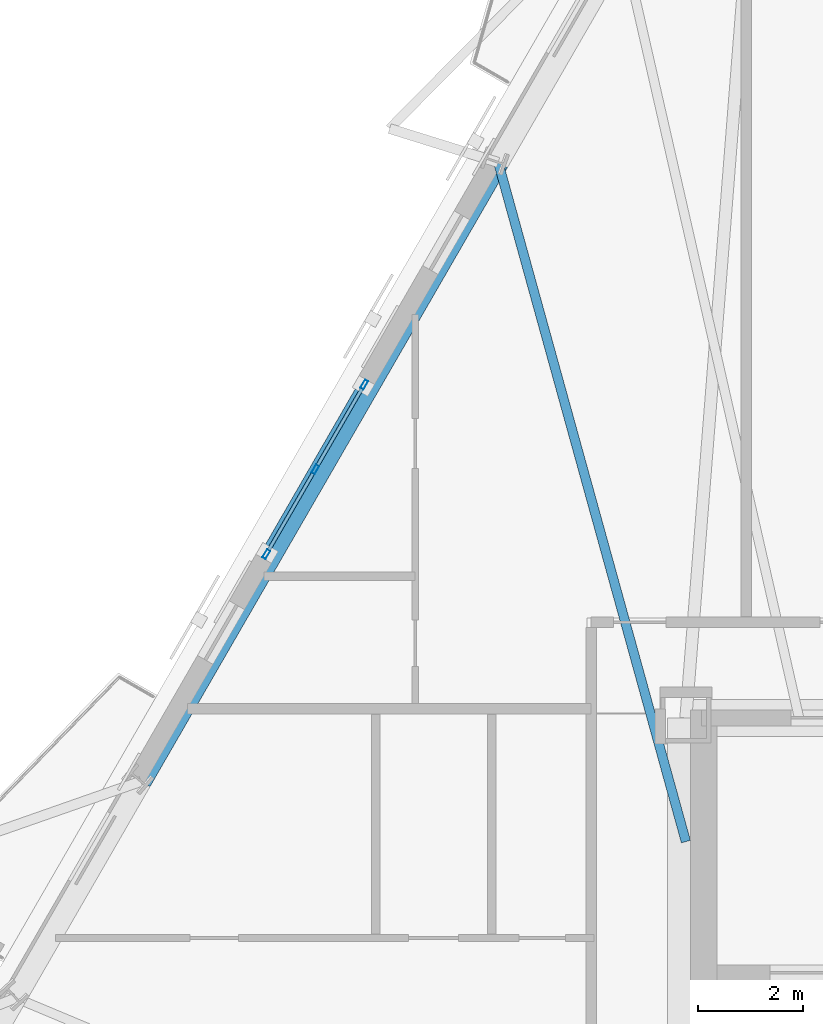
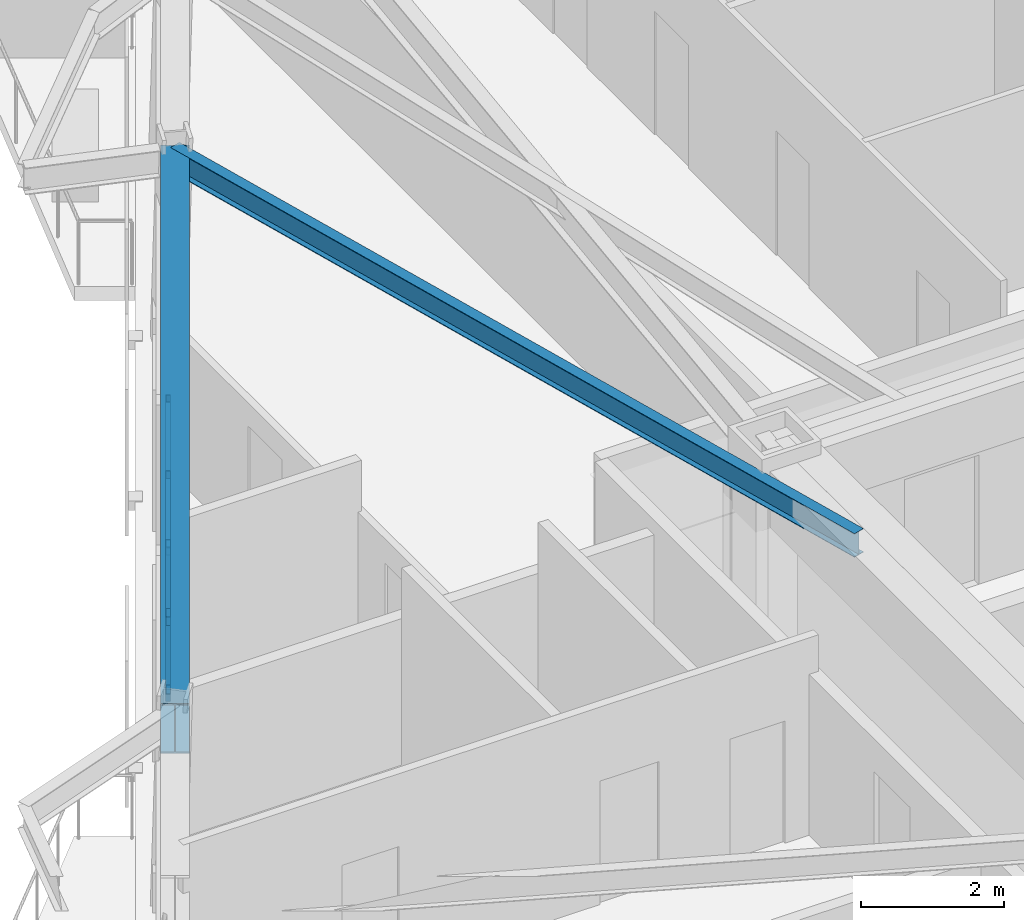
# One storey, part 5 of 17: 9 members, 2 beams, 1 element without a shape of its own.
"""IFC4 building model written with IfcOpenShell, lengths in metres."""

from ifc_helpers import new_model, si_unit, direction, frame, origin, origin_2d, place, context, subcontext, project, spatial, hollow_rectangle, i_section, extrude, material, layer, layer_set, material_profile, profile_set, type_object, element, aggregate, save


model = new_model("IFC4")

# Units and contexts
model_context = context("Model", 3, precision=1e-05, world=origin(), true_north=direction((0.0, 1.0)))
body_context = subcontext(model_context, "Body", "Model", "MODEL_VIEW")
ifc_project = project(units=[si_unit("LENGTHUNIT", "METRE"), si_unit("AREAUNIT", "SQUARE_METRE"), si_unit("VOLUMEUNIT", "CUBIC_METRE"), si_unit("PLANEANGLEUNIT", "RADIAN"), si_unit("MASSUNIT", "GRAM", prefix="KILO")], contexts=[model_context])

# Site, building, storey
site_placement = place(None, origin())
site = spatial("IfcSite", under=ifc_project, at=site_placement, CompositionType="ELEMENT")
building_placement = place(site_placement, origin())
building = spatial("IfcBuilding", under=site, at=building_placement, Name="Oramaril Tower", CompositionType="ELEMENT")
storey_placement = place(building_placement, frame((0.0, 0.0, 70.5)))
storey = spatial("IfcBuildingStorey", under=building, at=storey_placement, Name="L18", CompositionType="ELEMENT", Elevation=70.5)

# Beams
ifc_material_1 = material(Name="Steel ASTM A572 Gr 50", Category="steel")
ifc_material_profile_1 = material_profile(ifc_material_1, i_section(OverallWidth=0.177978515625, OverallDepth=0.404052734375, WebThickness=0.007568359375, FlangeThickness=0.010986328125, at=origin_2d()), Name="W16X36")
ifc_profile_set_1 = profile_set([ifc_material_profile_1], Name="Steel ASTM A572 Gr 50")
beam_type_1 = type_object("IfcBeamType", Name="BT-SB1", PredefinedType="BEAM", material=ifc_profile_set_1)
beam_1_placement = place(storey_placement, frame((29.35009765625, 21.800048828125, 3.157958984375), z_axis=(-0.266334041526, 0.963880790515, 0.0), x_axis=(-0.963880790515, -0.266334041526, 0.0)))
element("IfcBeam", 1, at=beam_1_placement, inside=storey, type_object=beam_type_1, Name="L18 Secondary Floor Beam SB-09", PredefinedType="BEAM", context=body_context, shape_type="SweptSolid", body=[
    extrude(i_section(OverallWidth=0.177978515625, OverallDepth=0.404052734375, WebThickness=0.007568359375, FlangeThickness=0.010986328125, at=origin_2d()), origin(), (0.0, 0.0, 1.0), 13.38427734375),
])
ifc_material_2 = material(Name="Steel ASTM A572 Gr 50", Category="steel")
ifc_material_profile_2 = material_profile(ifc_material_2, i_section(OverallWidth=0.40087890625, OverallDepth=0.85595703125, WebThickness=0.018310546875, FlangeThickness=0.029296875, at=origin_2d()), Name="W33X201")
ifc_profile_set_2 = profile_set([ifc_material_profile_2], Name="Steel ASTM A572 Gr 50")
beam_type_2 = type_object("IfcBeamType", Name="BT-SP1", PredefinedType="SPANDREL", material=ifc_profile_set_2)
beam_2_placement = place(storey_placement, frame((25.785400390625, 34.700927734375, 2.931884765625), z_axis=(-0.500003711142, -0.866023261145, 0.0), x_axis=(0.866023261145, -0.500003711142, 0.0)))
element("IfcBeam", 2, at=beam_2_placement, inside=storey, type_object=beam_type_2, Name="L18 Perimeter Spandrel 16", PredefinedType="SPANDREL", context=body_context, shape_type="SweptSolid", body=[
    extrude(i_section(OverallWidth=0.40087890625, OverallDepth=0.85595703125, WebThickness=0.018310546875, FlangeThickness=0.029296875, at=origin_2d()), origin(), (0.0, 0.0, 1.0), 13.5751953125),
])

# Curtain wall, members
ifc_material_3 = material(Name="Anodised Aluminium 6063-T6", Category="aluminium")
ifc_layer = layer(ifc_material_3, 0.179931640625)
ifc_layer_set = layer_set([ifc_layer], Name="CWT-SYS3")
curtain_wall_type = type_object("IfcCurtainWallType", Name="CWT-SYS3", PredefinedType="NOTDEFINED", material=ifc_layer_set)
curtain_wall_placement = place(storey_placement, origin())
curtain_wall = element("IfcCurtainWall", 3, at=curtain_wall_placement, inside=storey, type_object=curtain_wall_type, Name="L18 Unitised Curtain Wall CW-3", PredefinedType="NOTDEFINED")
ifc_material_4 = material(Name="Anodised Aluminium 6063-T6", Category="aluminium")
ifc_material_profile_3 = material_profile(ifc_material_4, hollow_rectangle(XDim=0.070068359375, YDim=0.179931640625, WallThickness=0.00390625, at=origin_2d()), Name="CWM180X70")
ifc_profile_set_3 = profile_set([ifc_material_profile_3], Name="Anodised Aluminium 6063-T6")
member_type_1 = type_object("IfcMemberType", Name="MT-CWM2", PredefinedType="MULLION", material=ifc_profile_set_3)
member_1_placement = place(storey_placement, frame((23.240478515625, 30.48046875, 0.0), z_axis=(0.0, 0.0, 1.0), x_axis=(0.866025463091, -0.499999897278, 0.0)))
member_1 = element("IfcMember", 4, at=member_1_placement, type_object=member_type_1, Name="CW-3 mullion 1", PredefinedType="MULLION", context=body_context, shape_type="SweptSolid", body=[
    extrude(hollow_rectangle(XDim=0.070068359375, YDim=0.179931640625, WallThickness=0.00390625, at=origin_2d()), origin(), (0.0, 0.0, 1.0), 2.493896484375),
])
member_2_placement = place(storey_placement, frame((22.310546875, 28.86962890625, 0.0), z_axis=(0.0, 0.0, 1.0), x_axis=(0.866025463091, -0.499999897278, 0.0)))
member_2 = element("IfcMember", 5, at=member_2_placement, type_object=member_type_1, Name="CW-3 mullion 2", PredefinedType="MULLION", context=body_context, shape_type="SweptSolid", body=[
    extrude(hollow_rectangle(XDim=0.070068359375, YDim=0.179931640625, WallThickness=0.00390625, at=origin_2d()), origin(), (0.0, 0.0, 1.0), 2.493896484375),
])
member_3_placement = place(storey_placement, frame((21.380615234375, 27.259033203125, 0.0), z_axis=(0.0, 0.0, 1.0), x_axis=(0.866025463091, -0.499999897278, 0.0)))
member_3 = element("IfcMember", 6, at=member_3_placement, type_object=member_type_1, Name="CW-3 mullion 3", PredefinedType="MULLION", context=body_context, shape_type="SweptSolid", body=[
    extrude(hollow_rectangle(XDim=0.070068359375, YDim=0.179931640625, WallThickness=0.00390625, at=origin_2d()), origin(), (0.0, 0.0, 1.0), 2.493896484375),
])
ifc_material_5 = material(Name="Anodised Aluminium 6063-T6", Category="aluminium")
ifc_material_profile_4 = material_profile(ifc_material_5, hollow_rectangle(XDim=0.070068359375, YDim=0.159912109375, WallThickness=0.00390625, at=origin_2d()), Name="CWT160X70")
ifc_profile_set_4 = profile_set([ifc_material_profile_4], Name="Anodised Aluminium 6063-T6")
member_type_2 = type_object("IfcMemberType", Name="MT-CWT1", PredefinedType="USERDEFINED", material=ifc_profile_set_4)
member_4_placement = place(storey_placement, frame((23.195556640625, 30.402587890625, 0.080078125), z_axis=(-0.500062097304, -0.865989548921, 0.0), x_axis=(0.865989548921, -0.500062097304, 0.0)))
member_4 = element("IfcMember", 7, at=member_4_placement, type_object=member_type_2, Name="CW-3 transom 1.1", ObjectType="TRANSOM", PredefinedType="USERDEFINED", context=body_context, shape_type="SweptSolid", body=[
    extrude(hollow_rectangle(XDim=0.070068359375, YDim=0.159912109375, WallThickness=0.00390625, at=origin_2d()), origin(), (0.0, 0.0, 1.0), 1.679931640625),
])
member_5_placement = place(storey_placement, frame((23.195556640625, 30.402587890625, 1.2470703125), z_axis=(-0.500062097304, -0.865989548921, 0.0), x_axis=(0.865989548921, -0.500062097304, 0.0)))
member_5 = element("IfcMember", 8, at=member_5_placement, type_object=member_type_2, Name="CW-3 transom 1.2", ObjectType="TRANSOM", PredefinedType="USERDEFINED", context=body_context, shape_type="SweptSolid", body=[
    extrude(hollow_rectangle(XDim=0.070068359375, YDim=0.159912109375, WallThickness=0.00390625, at=origin_2d()), origin(), (0.0, 0.0, 1.0), 1.679931640625),
])
member_6_placement = place(storey_placement, frame((23.195556640625, 30.402587890625, 2.4140625), z_axis=(-0.500062097304, -0.865989548921, 0.0), x_axis=(0.865989548921, -0.500062097304, 0.0)))
member_6 = element("IfcMember", 9, at=member_6_placement, type_object=member_type_2, Name="CW-3 transom 1.3", ObjectType="TRANSOM", PredefinedType="USERDEFINED", context=body_context, shape_type="SweptSolid", body=[
    extrude(hollow_rectangle(XDim=0.070068359375, YDim=0.159912109375, WallThickness=0.00390625, at=origin_2d()), origin(), (0.0, 0.0, 1.0), 1.679931640625),
])
member_7_placement = place(storey_placement, frame((22.265380859375, 28.791748046875, 0.080078125), z_axis=(-0.499953100966, -0.866052479261, 0.0), x_axis=(0.866052479261, -0.499953100966, 0.0)))
member_7 = element("IfcMember", 10, at=member_7_placement, type_object=member_type_2, Name="CW-3 transom 2.1", ObjectType="TRANSOM", PredefinedType="USERDEFINED", context=body_context, shape_type="SweptSolid", body=[
    extrude(hollow_rectangle(XDim=0.070068359375, YDim=0.159912109375, WallThickness=0.00390625, at=origin_2d()), origin(), (0.0, 0.0, 1.0), 1.679931640625),
])
member_8_placement = place(storey_placement, frame((22.265380859375, 28.791748046875, 1.2470703125), z_axis=(-0.499953100966, -0.866052479261, 0.0), x_axis=(0.866052479261, -0.499953100966, 0.0)))
member_8 = element("IfcMember", 11, at=member_8_placement, type_object=member_type_2, Name="CW-3 transom 2.2", ObjectType="TRANSOM", PredefinedType="USERDEFINED", context=body_context, shape_type="SweptSolid", body=[
    extrude(hollow_rectangle(XDim=0.070068359375, YDim=0.159912109375, WallThickness=0.00390625, at=origin_2d()), origin(), (0.0, 0.0, 1.0), 1.679931640625),
])
member_9_placement = place(storey_placement, frame((22.265380859375, 28.791748046875, 2.4140625), z_axis=(-0.499953100966, -0.866052479261, 0.0), x_axis=(0.866052479261, -0.499953100966, 0.0)))
member_9 = element("IfcMember", 12, at=member_9_placement, type_object=member_type_2, Name="CW-3 transom 2.3", ObjectType="TRANSOM", PredefinedType="USERDEFINED", context=body_context, shape_type="SweptSolid", body=[
    extrude(hollow_rectangle(XDim=0.070068359375, YDim=0.159912109375, WallThickness=0.00390625, at=origin_2d()), origin(), (0.0, 0.0, 1.0), 1.679931640625),
])
aggregate(curtain_wall, [member_1, member_2, member_3, member_4, member_5, member_6, member_7, member_8, member_9])

save(model, "model.ifc")
